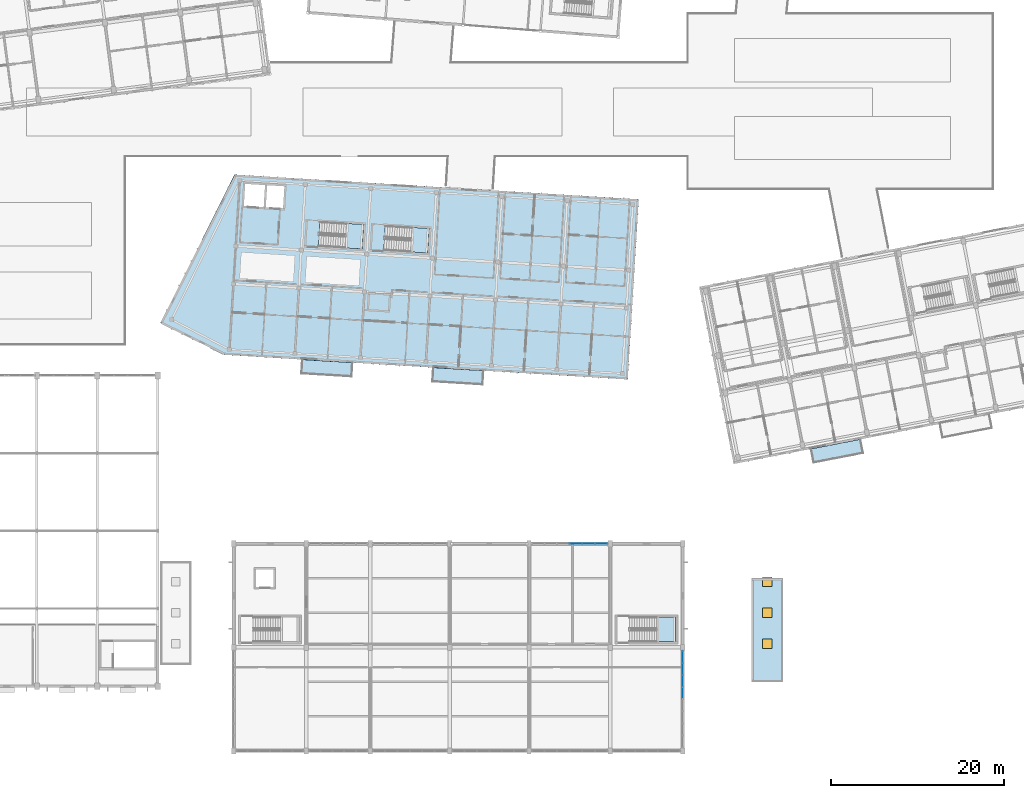
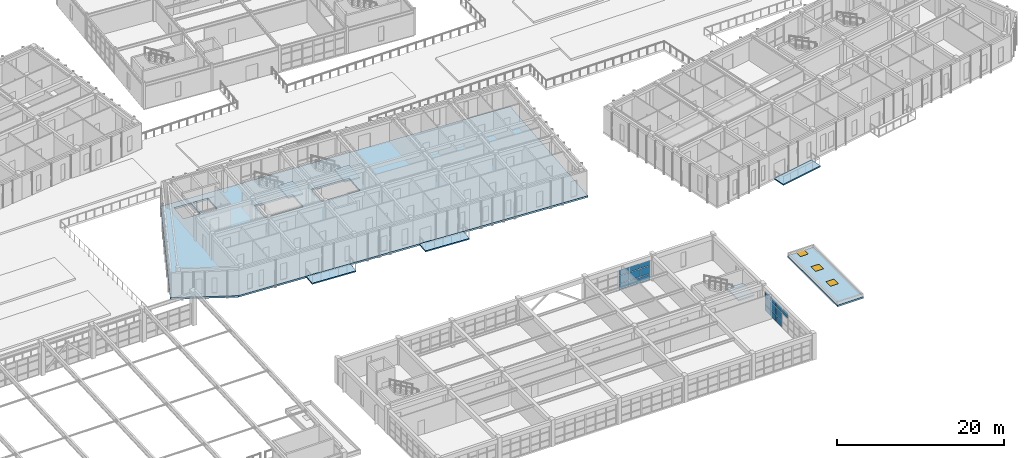
# One storey, part 71 of 150: 19 plates, 8 slabs, 3 doors, 3 openings, 5 elements without a shape of their own.
"""IFC4 building model written with IfcOpenShell, lengths in metres."""

from ifc_helpers import new_model, si_unit, direction, frame, origin, origin_2d, place, context, subcontext, project, spatial, polyline, rectangle, outline, extrude, material, layer, layer_set, type_object, element, fill, aggregate, save


model = new_model("IFC4")

# Units and contexts
model_context = context("Model", 3, precision=1e-05, world=origin(), true_north=direction((0.0, 1.0)))
body_context = subcontext(model_context, "Body", "Model", "MODEL_VIEW")
ifc_project = project(units=[si_unit("LENGTHUNIT", "METRE"), si_unit("AREAUNIT", "SQUARE_METRE"), si_unit("VOLUMEUNIT", "CUBIC_METRE"), si_unit("PLANEANGLEUNIT", "RADIAN"), si_unit("MASSUNIT", "GRAM", prefix="KILO")], contexts=[model_context])

# Site, building, storey
site_placement = place(None, origin())
site = spatial("IfcSite", under=ifc_project, at=site_placement, CompositionType="ELEMENT")
building_placement = place(site_placement, origin())
building = spatial("IfcBuilding", under=site, at=building_placement, Name="Kestramere Prow Commons", CompositionType="ELEMENT")
storey_placement = place(building_placement, frame((0.0, 0.0, 4.5)))
storey = spatial("IfcBuildingStorey", under=building, at=storey_placement, Name="L01", CompositionType="ELEMENT", Elevation=4.5)

# Curtain wall, plates
ifc_material_1 = material(Name="Anodised Aluminium and Low-E Glass", Category="aluminium")
curtain_wall_type_1 = type_object("IfcCurtainWallType", Name="CW-26 Glazed Curtain Wall 8800x2990", PredefinedType="USERDEFINED", material=ifc_material_1)
curtain_wall_1_placement = place(storey_placement, origin())
curtain_wall_1 = element("IfcCurtainWall", 1, at=curtain_wall_1_placement, inside=storey, type_object=curtain_wall_type_1, Name="Market L01 Courtyard Shopfront 5", ObjectType="GLAZED CURTAIN WALL", PredefinedType="USERDEFINED")
ifc_material_2 = material(Name="Low-E Laminated Double Glazing", Category="glass")
ifc_layer_1 = layer(ifc_material_2, 0.028076171875)
ifc_layer_set_1 = layer_set([ifc_layer_1], Name="Low-E Laminated Double Glazing")
plate_type = type_object("IfcPlateType", Name="CW-PNL-28", PredefinedType="CURTAIN_PANEL", material=ifc_layer_set_1)
plate_1_placement = place(storey_placement, frame((99.63330078125, 24.0, 0.06494140625), z_axis=(0.0, 0.0, 1.0), x_axis=(1.0, 0.0, 0.0)))
plate_1 = element("IfcPlate", 2, at=plate_1_placement, type_object=plate_type, Name="CW-26 panel 4.1", PredefinedType="CURTAIN_PANEL", context=body_context, shape_type="SweptSolid", body=[
    extrude(rectangle(XDim=1.401611328125, YDim=0.028076171875, at=origin_2d()), origin(), (0.0, 0.0, 1.0), 0.8525390625),
])
plate_2_placement = place(storey_placement, frame((99.63330078125, 24.0, 0.982421875), z_axis=(0.0, 0.0, 1.0), x_axis=(1.0, 0.0, 0.0)))
plate_2 = element("IfcPlate", 3, at=plate_2_placement, type_object=plate_type, Name="CW-26 panel 4.2", PredefinedType="CURTAIN_PANEL", context=body_context, shape_type="SweptSolid", body=[
    extrude(rectangle(XDim=1.401611328125, YDim=0.028076171875, at=origin_2d()), origin(), (0.0, 0.0, 1.0), 1.125),
])
plate_3_placement = place(storey_placement, frame((99.63330078125, 24.0, 2.172607421875), z_axis=(0.0, 0.0, 1.0), x_axis=(1.0, 0.0, 0.0)))
plate_3 = element("IfcPlate", 4, at=plate_3_placement, type_object=plate_type, Name="CW-26 panel 4.3", PredefinedType="CURTAIN_PANEL", context=body_context, shape_type="SweptSolid", body=[
    extrude(rectangle(XDim=1.401611328125, YDim=0.028076171875, at=origin_2d()), origin(), (0.0, 0.0, 1.0), 0.75244140625),
])
plate_4_placement = place(storey_placement, frame((101.10009765625, 24.0, 0.06494140625), z_axis=(0.0, 0.0, 1.0), x_axis=(1.0, 0.0, 0.0)))
plate_4 = element("IfcPlate", 5, at=plate_4_placement, type_object=plate_type, Name="CW-26 panel 5.1", PredefinedType="CURTAIN_PANEL", context=body_context, shape_type="SweptSolid", body=[
    extrude(rectangle(XDim=1.401611328125, YDim=0.028076171875, at=origin_2d()), origin(), (0.0, 0.0, 1.0), 0.8525390625),
])
plate_5_placement = place(storey_placement, frame((101.10009765625, 24.0, 0.982421875), z_axis=(0.0, 0.0, 1.0), x_axis=(1.0, 0.0, 0.0)))
plate_5 = element("IfcPlate", 6, at=plate_5_placement, type_object=plate_type, Name="CW-26 panel 5.2", PredefinedType="CURTAIN_PANEL", context=body_context, shape_type="SweptSolid", body=[
    extrude(rectangle(XDim=1.401611328125, YDim=0.028076171875, at=origin_2d()), origin(), (0.0, 0.0, 1.0), 1.125),
])
plate_6_placement = place(storey_placement, frame((101.10009765625, 24.0, 2.172607421875), z_axis=(0.0, 0.0, 1.0), x_axis=(1.0, 0.0, 0.0)))
plate_6 = element("IfcPlate", 7, at=plate_6_placement, type_object=plate_type, Name="CW-26 panel 5.3", PredefinedType="CURTAIN_PANEL", context=body_context, shape_type="SweptSolid", body=[
    extrude(rectangle(XDim=1.401611328125, YDim=0.028076171875, at=origin_2d()), origin(), (0.0, 0.0, 1.0), 0.75244140625),
])
plate_7_placement = place(storey_placement, frame((102.550537109375, 24.0, 0.06494140625), z_axis=(0.0, 0.0, 1.0), x_axis=(1.0, 0.0, 0.0)))
plate_7 = element("IfcPlate", 8, at=plate_7_placement, type_object=plate_type, Name="CW-26 panel 6.1", PredefinedType="CURTAIN_PANEL", context=body_context, shape_type="SweptSolid", body=[
    extrude(rectangle(XDim=1.369140625, YDim=0.028076171875, at=origin_2d()), origin(), (0.0, 0.0, 1.0), 0.8525390625),
])
plate_8_placement = place(storey_placement, frame((102.550537109375, 24.0, 0.982421875), z_axis=(0.0, 0.0, 1.0), x_axis=(1.0, 0.0, 0.0)))
plate_8 = element("IfcPlate", 9, at=plate_8_placement, type_object=plate_type, Name="CW-26 panel 6.2", PredefinedType="CURTAIN_PANEL", context=body_context, shape_type="SweptSolid", body=[
    extrude(rectangle(XDim=1.369140625, YDim=0.028076171875, at=origin_2d()), origin(), (0.0, 0.0, 1.0), 1.125),
])
plate_9_placement = place(storey_placement, frame((102.550537109375, 24.0, 2.172607421875), z_axis=(0.0, 0.0, 1.0), x_axis=(1.0, 0.0, 0.0)))
plate_9 = element("IfcPlate", 10, at=plate_9_placement, type_object=plate_type, Name="CW-26 panel 6.3", PredefinedType="CURTAIN_PANEL", context=body_context, shape_type="SweptSolid", body=[
    extrude(rectangle(XDim=1.369140625, YDim=0.028076171875, at=origin_2d()), origin(), (0.0, 0.0, 1.0), 0.75244140625),
])
aggregate(curtain_wall_1, [plate_1, plate_2, plate_3, plate_4, plate_5, plate_6, plate_7, plate_8, plate_9])

curtain_wall_type_2 = type_object("IfcCurtainWallType", Name="CW-27 Glazed Curtain Wall 11200x2990", PredefinedType="USERDEFINED", material=ifc_material_1)
curtain_wall_2_placement = place(storey_placement, origin())
curtain_wall_2 = element("IfcCurtainWall", 11, at=curtain_wall_2_placement, inside=storey, type_object=curtain_wall_type_2, Name="Market L01 E Glazing", ObjectType="GLAZED CURTAIN WALL", PredefinedType="USERDEFINED")
plate_10_placement = place(storey_placement, frame((112.0, 10.8837890625, 0.06494140625), z_axis=(0.0, 0.0, 1.0), x_axis=(0.0, -1.0, 0.0)))
plate_10 = element("IfcPlate", 12, at=plate_10_placement, type_object=plate_type, Name="CW-27 panel 1.1", PredefinedType="CURTAIN_PANEL", context=body_context, shape_type="SweptSolid", body=[
    extrude(rectangle(XDim=1.302490234375, YDim=0.028076171875, at=origin_2d()), origin(), (0.0, 0.0, 1.0), 0.8525390625),
])
plate_11_placement = place(storey_placement, frame((112.0, 10.8837890625, 0.982421875), z_axis=(0.0, 0.0, 1.0), x_axis=(0.0, -1.0, 0.0)))
plate_11 = element("IfcPlate", 13, at=plate_11_placement, type_object=plate_type, Name="CW-27 panel 1.2", PredefinedType="CURTAIN_PANEL", context=body_context, shape_type="SweptSolid", body=[
    extrude(rectangle(XDim=1.302490234375, YDim=0.028076171875, at=origin_2d()), origin(), (0.0, 0.0, 1.0), 1.125),
])
plate_12_placement = place(storey_placement, frame((112.0, 10.8837890625, 2.172607421875), z_axis=(0.0, 0.0, 1.0), x_axis=(0.0, -1.0, 0.0)))
plate_12 = element("IfcPlate", 14, at=plate_12_placement, type_object=plate_type, Name="CW-27 panel 1.3", PredefinedType="CURTAIN_PANEL", context=body_context, shape_type="SweptSolid", body=[
    extrude(rectangle(XDim=1.302490234375, YDim=0.028076171875, at=origin_2d()), origin(), (0.0, 0.0, 1.0), 0.75244140625),
])
plate_13_placement = place(storey_placement, frame((112.0, 9.5, 0.06494140625), z_axis=(0.0, 0.0, 1.0), x_axis=(0.0, -1.0, 0.0)))
plate_13 = element("IfcPlate", 15, at=plate_13_placement, type_object=plate_type, Name="CW-27 panel 2.1", PredefinedType="CURTAIN_PANEL", context=body_context, shape_type="SweptSolid", body=[
    extrude(rectangle(XDim=1.3349609375, YDim=0.028076171875, at=origin_2d()), origin(), (0.0, 0.0, 1.0), 0.8525390625),
])
plate_14_placement = place(storey_placement, frame((112.0, 9.5, 0.982421875), z_axis=(0.0, 0.0, 1.0), x_axis=(0.0, -1.0, 0.0)))
plate_14 = element("IfcPlate", 16, at=plate_14_placement, type_object=plate_type, Name="CW-27 panel 2.2", PredefinedType="CURTAIN_PANEL", context=body_context, shape_type="SweptSolid", body=[
    extrude(rectangle(XDim=1.3349609375, YDim=0.028076171875, at=origin_2d()), origin(), (0.0, 0.0, 1.0), 1.125),
])
plate_15_placement = place(storey_placement, frame((112.0, 9.5, 2.172607421875), z_axis=(0.0, 0.0, 1.0), x_axis=(0.0, -1.0, 0.0)))
plate_15 = element("IfcPlate", 17, at=plate_15_placement, type_object=plate_type, Name="CW-27 panel 2.3", PredefinedType="CURTAIN_PANEL", context=body_context, shape_type="SweptSolid", body=[
    extrude(rectangle(XDim=1.3349609375, YDim=0.028076171875, at=origin_2d()), origin(), (0.0, 0.0, 1.0), 0.75244140625),
])
plate_16_placement = place(storey_placement, frame((112.0, 8.10009765625, 0.06494140625), z_axis=(0.0, 0.0, 1.0), x_axis=(0.0, -1.0, 0.0)))
plate_16 = element("IfcPlate", 18, at=plate_16_placement, type_object=plate_type, Name="CW-27 panel 3.1", PredefinedType="CURTAIN_PANEL", context=body_context, shape_type="SweptSolid", body=[
    extrude(rectangle(XDim=1.3349609375, YDim=0.028076171875, at=origin_2d()), origin(), (0.0, 0.0, 1.0), 0.8525390625),
])
plate_17_placement = place(storey_placement, frame((112.0, 8.10009765625, 0.982421875), z_axis=(0.0, 0.0, 1.0), x_axis=(0.0, -1.0, 0.0)))
plate_17 = element("IfcPlate", 19, at=plate_17_placement, type_object=plate_type, Name="CW-27 panel 3.2", PredefinedType="CURTAIN_PANEL", context=body_context, shape_type="SweptSolid", body=[
    extrude(rectangle(XDim=1.3349609375, YDim=0.028076171875, at=origin_2d()), origin(), (0.0, 0.0, 1.0), 1.125),
])
plate_18_placement = place(storey_placement, frame((112.0, 8.10009765625, 2.172607421875), z_axis=(0.0, 0.0, 1.0), x_axis=(0.0, -1.0, 0.0)))
plate_18 = element("IfcPlate", 20, at=plate_18_placement, type_object=plate_type, Name="CW-27 panel 3.3", PredefinedType="CURTAIN_PANEL", context=body_context, shape_type="SweptSolid", body=[
    extrude(rectangle(XDim=1.3349609375, YDim=0.028076171875, at=origin_2d()), origin(), (0.0, 0.0, 1.0), 0.75244140625),
])
plate_19_placement = place(storey_placement, frame((112.0, 6.699951171875, 2.172607421875), z_axis=(0.0, 0.0, 1.0), x_axis=(0.0, -1.0, 0.0)))
plate_19 = element("IfcPlate", 21, at=plate_19_placement, type_object=plate_type, Name="CW-27 panel 4.3", PredefinedType="CURTAIN_PANEL", context=body_context, shape_type="SweptSolid", body=[
    extrude(rectangle(XDim=1.3349609375, YDim=0.028076171875, at=origin_2d()), origin(), (0.0, 0.0, 1.0), 0.75244140625),
])
aggregate(curtain_wall_2, [plate_10, plate_11, plate_12, plate_13, plate_14, plate_15, plate_16, plate_17, plate_18, plate_19])

# Slabs
ifc_material_3 = material(Name="Precast concrete C40/50", Category="concrete")
ifc_layer_2 = layer(ifc_material_3, 0.179931640625)
ifc_layer_set_2 = layer_set([ifc_layer_2], Name="Precast concrete C40/50")
slab_type_1 = type_object("IfcSlabType", Name="SL-BALC-180", PredefinedType="FLOOR", material=ifc_layer_set_2)
slab_1_placement = place(storey_placement, frame((0.0, 0.0, -0.179931640625)))
element("IfcSlab", 22, at=slab_1_placement, inside=storey, type_object=slab_type_1, Name="Block C L01 Apartment Balcony Slab 2", PredefinedType="FLOOR", context=body_context, shape_type="SweptSolid", body=[
    extrude(outline(polyline([(67.7939453125, 43.6884765625), (73.682861328125, 43.328125), (73.783447265625, 44.97509765625), (67.89453125, 45.33544921875), (67.7939453125, 43.6884765625)])), origin(), (0.0, 0.0, 1.0), 0.179931640625),
])
slab_2_placement = place(storey_placement, frame((0.0, 0.0, -0.179931640625)))
element("IfcSlab", 23, at=slab_2_placement, inside=storey, type_object=slab_type_1, Name="Block C L01 Apartment Balcony Slab 4", PredefinedType="FLOOR", context=body_context, shape_type="SweptSolid", body=[
    extrude(outline(polyline([(82.965576171875, 42.760498046875), (88.8544921875, 42.400390625), (88.955322265625, 44.047119140625), (83.066162109375, 44.407470703125), (82.965576171875, 42.760498046875)])), origin(), (0.0, 0.0, 1.0), 0.179931640625),
])
slab_3_placement = place(storey_placement, frame((0.0, 0.0, -0.179931640625)))
element("IfcSlab", 24, at=slab_3_placement, inside=storey, type_object=slab_type_1, Name="Block D L01 Apartment Balcony Slab 2", PredefinedType="FLOOR", context=body_context, shape_type="SweptSolid", body=[
    extrude(outline(polyline([(127.133544921875, 33.3544921875), (132.92529296875, 34.48046875), (132.6103515625, 36.10009765625), (126.81884765625, 34.974365234375), (127.133544921875, 33.3544921875)])), origin(), (0.0, 0.0, 1.0), 0.179931640625),
])
ifc_layer_3 = layer(ifc_material_3, 0.25)
ifc_layer_set_3 = layer_set([ifc_layer_3], Name="Precast concrete C40/50")
slab_type_2 = type_object("IfcSlabType", Name="SL-HC-250", PredefinedType="FLOOR", material=ifc_layer_set_3)
slab_4_placement = place(storey_placement, frame((0.0, 0.0, -0.25)))
element("IfcSlab", 25, at=slab_4_placement, inside=storey, type_object=slab_type_2, Name="Block C L01 Hollowcore Floor Slab", PredefinedType="FLOOR", context=body_context, shape_type="SweptSolid", body=[
    extrude(outline(polyline([(51.52392578125, 49.5927734375), (58.8115234375, 45.890869140625), (105.6240234375, 43.02783203125), (106.89990234375, 63.888671875), (60.08740234375, 66.751953125), (51.52392578125, 49.5927734375)]), holes=[polyline([(61.168212890625, 63.129150390625), (63.464111328125, 62.98876953125), (63.61962890625, 65.533935546875), (61.323974609375, 65.67431640625), (61.168212890625, 63.129150390625)]), polyline([(63.713623046875, 62.973388671875), (65.709716796875, 62.851318359375), (65.865478515625, 65.396728515625), (63.869140625, 65.518798828125), (63.713623046875, 62.973388671875)]), polyline([(69.79833984375, 58.443603515625), (74.888916015625, 58.13232421875), (75.062744140625, 60.976806640625), (69.972412109375, 61.288330078125), (69.79833984375, 58.443603515625)]), polyline([(77.38427734375, 57.9794921875), (82.474609375, 57.668212890625), (82.648681640625, 60.512939453125), (77.55810546875, 60.82421875), (77.38427734375, 57.9794921875)])]), origin(), (0.0, 0.0, 1.0), 0.25),
])

# Slab, openings, doors
ifc_layer_4 = layer(ifc_material_3, 0.25)
ifc_layer_set_4 = layer_set([ifc_layer_4], Name="Precast concrete C40/50")
slab_type_3 = type_object("IfcSlabType", Name="SL-ROOF-FLAT-250", PredefinedType="ROOF", material=ifc_layer_set_4)
slab_5_placement = place(storey_placement, frame((0.0, 0.0, -0.10009765625)))
slab_5 = element("IfcSlab", 26, at=slab_5_placement, inside=storey, type_object=slab_type_3, Name="East Colonnade Link Canopy Roof Slab", PredefinedType="ROOF", context=body_context, shape_type="SweptSolid", body=[
    extrude(outline(polyline([(120.0, 8.0), (123.60009765625, 8.0), (123.60009765625, 20.0), (120.0, 20.0), (120.0, 8.0)])), origin(), (0.0, 0.0, 1.0), 0.25),
])
opening_1_placement = place(slab_5_placement, frame((121.800048828125, 12.39990234375, 0.0), z_axis=(0.0, 0.0, 1.0), x_axis=(1.0, 0.0, 0.0)))
opening_1 = element("IfcOpeningElement", 27, at=opening_1_placement, cuts=slab_5, Name="Opening RH-02", PredefinedType="OPENING", context=body_context, shape_type="SweptSolid", body=[
    extrude(rectangle(XDim=1.10009765625, YDim=1.10009765625, at=origin_2d()), frame((0.0, 0.0, -0.014892578125)), (0.0, 0.0, 1.0), 0.280029296875),
])
opening_2_placement = place(slab_5_placement, frame((121.800048828125, 16.0, 0.0), z_axis=(0.0, 0.0, 1.0), x_axis=(1.0, 0.0, 0.0)))
opening_2 = element("IfcOpeningElement", 28, at=opening_2_placement, cuts=slab_5, Name="Opening RH-02", PredefinedType="OPENING", context=body_context, shape_type="SweptSolid", body=[
    extrude(rectangle(XDim=1.10009765625, YDim=1.10009765625, at=origin_2d()), frame((0.0, 0.0, -0.014892578125)), (0.0, 0.0, 1.0), 0.280029296875),
])
opening_3_placement = place(slab_5_placement, frame((121.800048828125, 19.60009765625, 0.0), z_axis=(0.0, 0.0, 1.0), x_axis=(1.0, 0.0, 0.0)))
opening_3 = element("IfcOpeningElement", 29, at=opening_3_placement, cuts=slab_5, Name="Opening RH-02", PredefinedType="OPENING", context=body_context, shape_type="SweptSolid", body=[
    extrude(rectangle(XDim=1.10009765625, YDim=1.10009765625, at=origin_2d()), frame((0.0, 0.0, -0.014892578125)), (0.0, 0.0, 1.0), 0.280029296875),
])
ifc_material_4 = material(Name="Galvanised Steel S275JR", Category="steel")
door_type = type_object("IfcDoorType", Name="RH-TRAP-1100", OperationType="SINGLE_SWING_LEFT", PredefinedType="TRAPDOOR", material=ifc_material_4)
door_1_placement = place(opening_1_placement, frame((0.0, 0.0, 0.199951171875)))
door_1 = element("IfcDoor", 30, at=door_1_placement, inside=storey, type_object=door_type, Name="East Canopy Maintenance Roof Hatch 1", OperationType="SINGLE_SWING_LEFT", OverallHeight=1.10009765625, OverallWidth=1.10009765625, PredefinedType="TRAPDOOR", context=body_context, shape_type="SweptSolid", body=[
    extrude(rectangle(XDim=1.10009765625, YDim=1.10009765625, at=origin_2d()), origin(), (0.0, 0.0, 1.0), 0.050048828125),
])
fill(opening_1, door_1)
door_2_placement = place(opening_2_placement, frame((0.0, 0.0, 0.199951171875)))
door_2 = element("IfcDoor", 31, at=door_2_placement, inside=storey, type_object=door_type, Name="East Canopy Maintenance Roof Hatch 2", OperationType="SINGLE_SWING_LEFT", OverallHeight=1.10009765625, OverallWidth=1.10009765625, PredefinedType="TRAPDOOR", context=body_context, shape_type="SweptSolid", body=[
    extrude(rectangle(XDim=1.10009765625, YDim=1.10009765625, at=origin_2d()), origin(), (0.0, 0.0, 1.0), 0.050048828125),
])
fill(opening_2, door_2)
door_3_placement = place(opening_3_placement, frame((0.0, 0.0, 0.199951171875)))
door_3 = element("IfcDoor", 32, at=door_3_placement, inside=storey, type_object=door_type, Name="East Canopy Maintenance Roof Hatch 3", OperationType="SINGLE_SWING_LEFT", OverallHeight=1.10009765625, OverallWidth=1.10009765625, PredefinedType="TRAPDOOR", context=body_context, shape_type="SweptSolid", body=[
    extrude(rectangle(XDim=1.10009765625, YDim=1.10009765625, at=origin_2d()), origin(), (0.0, 0.0, 1.0), 0.050048828125),
])
fill(opening_3, door_3)

# Stair, slab
ifc_material_5 = material(Name="Concrete C40/50", Category="concrete")
stair_type = type_object("IfcStairType", Name="ST-DOG-1350", PredefinedType="HALF_TURN_STAIR", material=ifc_material_5)
stair_1_placement = place(storey_placement, origin())
stair_1 = element("IfcStair", 33, at=stair_1_placement, inside=storey, type_object=stair_type, Name="L01 Block C Exit Stair 1", PredefinedType="HALF_TURN_STAIR")
ifc_layer_5 = layer(ifc_material_5, 0.199951171875)
ifc_layer_set_5 = layer_set([ifc_layer_5], Name="Concrete C40/50")
slab_type_4 = type_object("IfcSlabType", Name="SL-ST-LAND-200", PredefinedType="LANDING", material=ifc_layer_set_5)
slab_6_placement = place(storey_placement, frame((0.0, 0.0, 1.75)))
slab_6 = element("IfcSlab", 34, at=slab_6_placement, type_object=slab_type_4, Name="ST-C1 landing 1", PredefinedType="LANDING", context=body_context, shape_type="SweptSolid", body=[
    extrude(outline(polyline([(72.87255859375, 58.255615234375), (74.888916015625, 58.13232421875), (75.062744140625, 60.976806640625), (73.046630859375, 61.100341796875), (72.87255859375, 58.255615234375)])), origin(), (0.0, 0.0, 1.0), 0.199951171875),
])
aggregate(stair_1, [slab_6])

stair_2_placement = place(storey_placement, origin())
stair_2 = element("IfcStair", 35, at=stair_2_placement, inside=storey, type_object=stair_type, Name="L01 Block C Exit Stair 2", PredefinedType="HALF_TURN_STAIR")
slab_7_placement = place(storey_placement, frame((0.0, 0.0, 1.75)))
slab_7 = element("IfcSlab", 36, at=slab_7_placement, type_object=slab_type_4, Name="ST-C2 landing 1", PredefinedType="LANDING", context=body_context, shape_type="SweptSolid", body=[
    extrude(outline(polyline([(80.45849609375, 57.79150390625), (82.474609375, 57.668212890625), (82.648681640625, 60.512939453125), (80.63232421875, 60.63623046875), (80.45849609375, 57.79150390625)])), origin(), (0.0, 0.0, 1.0), 0.199951171875),
])
aggregate(stair_2, [slab_7])

stair_3_placement = place(storey_placement, origin())
stair_3 = element("IfcStair", 37, at=stair_3_placement, inside=storey, type_object=stair_type, Name="L01 Market and Car Park Exit Stair 2", PredefinedType="HALF_TURN_STAIR")
slab_8_placement = place(storey_placement, frame((0.0, 0.0, 1.75)))
slab_8 = element("IfcSlab", 38, at=slab_8_placement, type_object=slab_type_4, Name="ST-M2 landing 1", PredefinedType="LANDING", context=body_context, shape_type="SweptSolid", body=[
    extrude(outline(polyline([(108.985107421875, 12.64990234375), (111.199951171875, 12.64990234375), (111.199951171875, 15.5), (108.985107421875, 15.5), (108.985107421875, 12.64990234375)])), origin(), (0.0, 0.0, 1.0), 0.199951171875),
])
aggregate(stair_3, [slab_8])

save(model, "model.ifc")
